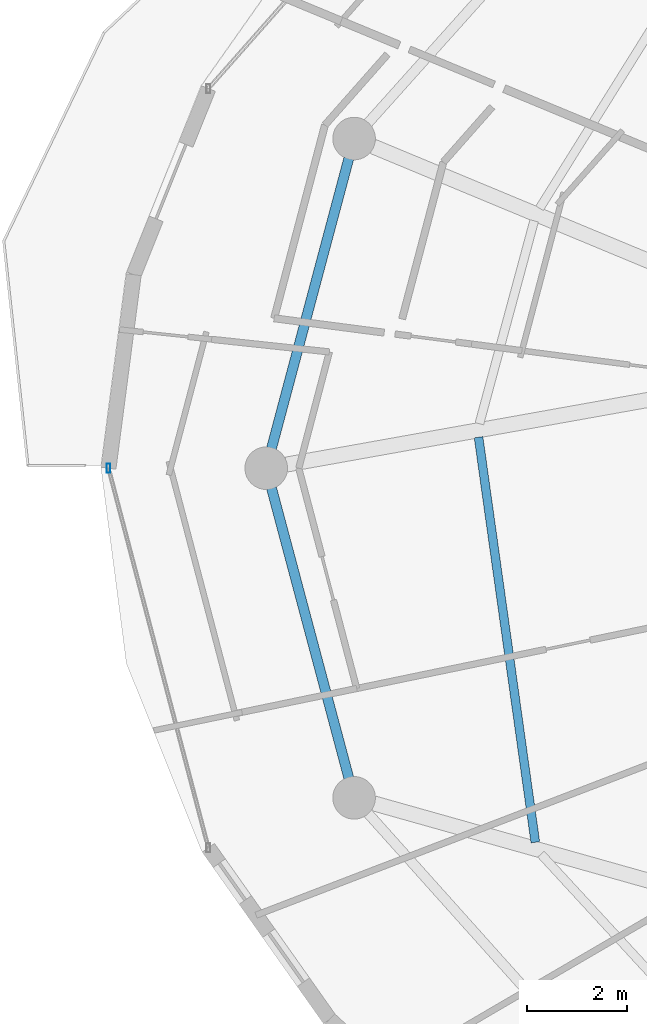
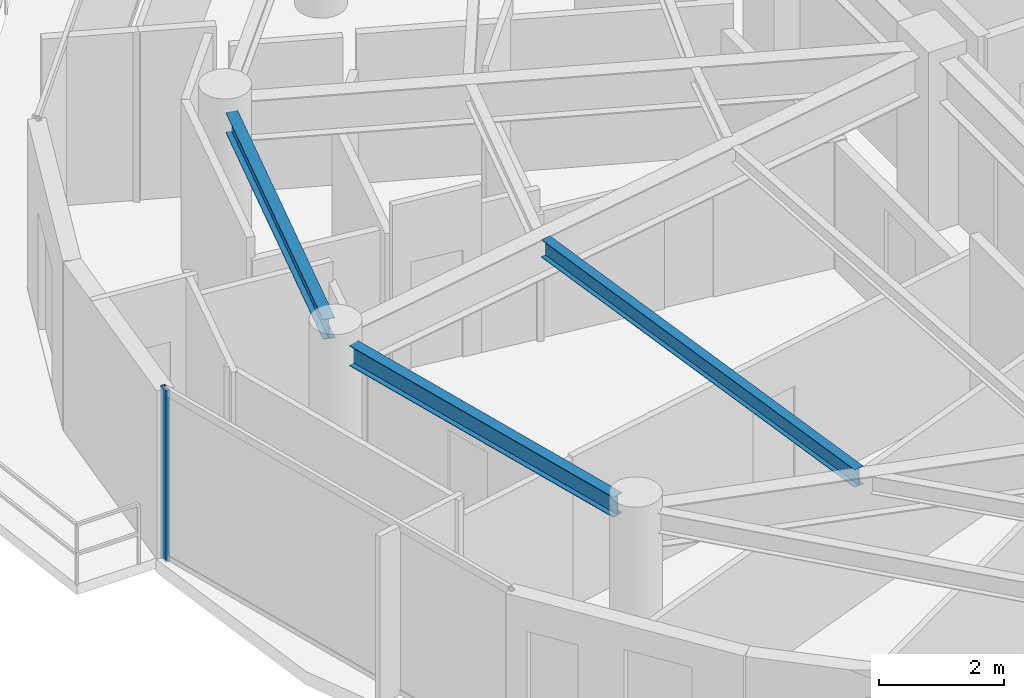
# One storey, part 6 of 30: 3 beams, 1 member, 1 element without a shape of its own.
"""IFC4 building model written with IfcOpenShell, lengths in metres."""

from ifc_helpers import new_model, si_unit, direction, frame, origin, origin_2d, place, context, subcontext, project, spatial, hollow_rectangle, i_section, extrude, material, material_profile, profile_set, type_object, element, aggregate, save


model = new_model("IFC4")

# Units and contexts
model_context = context("Model", 3, precision=1e-05, world=origin(), true_north=direction((0.0, 1.0)))
body_context = subcontext(model_context, "Body", "Model", "MODEL_VIEW")
ifc_project = project(units=[si_unit("LENGTHUNIT", "METRE"), si_unit("AREAUNIT", "SQUARE_METRE"), si_unit("VOLUMEUNIT", "CUBIC_METRE"), si_unit("PLANEANGLEUNIT", "RADIAN"), si_unit("MASSUNIT", "GRAM", prefix="KILO")], contexts=[model_context])

# Site, building, storey
site_placement = place(None, origin())
site = spatial("IfcSite", under=ifc_project, at=site_placement, CompositionType="ELEMENT")
building_placement = place(site_placement, origin())
building = spatial("IfcBuilding", under=site, at=building_placement, Name="Vorneva Point Tower", CompositionType="ELEMENT")
storey_placement = place(building_placement, frame((0.0, 0.0, 234.25)))
storey = spatial("IfcBuildingStorey", under=building, at=storey_placement, Name="L63", CompositionType="ELEMENT", Elevation=234.25)

# Beams
ifc_material_1 = material(Name="Steel S355", Category="steel")
ifc_material_profile_1 = material_profile(ifc_material_1, i_section(OverallWidth=0.174072265625, OverallDepth=0.345947265625, WebThickness=0.006103515625, FlangeThickness=0.009033203125, at=origin_2d()), Name="35B1")
ifc_profile_set_1 = profile_set([ifc_material_profile_1], Name="Steel S355")
beam_type_1 = type_object("IfcBeamType", Name="BM-SEC-35B1", PredefinedType="BEAM", material=ifc_profile_set_1)
beam_placement = place(storey_placement, frame((19.190185546875, 26.618408203125, 3.116943359375), z_axis=(0.138796784083, -0.990320883718, 0.0), x_axis=(0.990320883718, 0.138796784083, 0.0)))
element("IfcBeam", 1, at=beam_placement, inside=storey, type_object=beam_type_1, Name="L63 Secondary Floor Beam 1.09", PredefinedType="BEAM", context=body_context, shape_type="SweptSolid", body=[
    extrude(i_section(OverallWidth=0.174072265625, OverallDepth=0.345947265625, WebThickness=0.006103515625, FlangeThickness=0.009033203125, at=origin_2d()), origin(), (0.0, 0.0, 1.0), 8.1669921875),
])
ifc_material_profile_2 = material_profile(ifc_material_1, i_section(OverallWidth=0.198974609375, OverallDepth=0.39599609375, WebThickness=0.007080078125, FlangeThickness=0.010986328125, at=origin_2d()), Name="40B1")
ifc_profile_set_2 = profile_set([ifc_material_profile_2], Name="Steel S355")
beam_type_2 = type_object("IfcBeamType", Name="BM-SPN-40B1", PredefinedType="SPANDREL", material=ifc_profile_set_2)
for number, where, z_axis, x_axis, name in (
    (2, (16.59912109375, 32.18603515625, 3.092041015625), (-0.257586570866, -0.966255224312, 0.0), (0.966255224312, -0.257586570866, 0.0), "L63 Perimeter Spandrel Ring Beam 08"),
    (3, (15.0556640625, 25.603759765625, 3.092041015625), (0.257586570866, -0.966255224312, 0.0), (0.966255224312, 0.257586570866, 0.0), "L63 Perimeter Spandrel Ring Beam 09"),
):
    element("IfcBeam", number, at=place(storey_placement, frame(where, z_axis=z_axis, x_axis=x_axis)), inside=storey, type_object=beam_type_2, Name=name, PredefinedType="SPANDREL", context=body_context, shape_type="SweptSolid", body=[
        extrude(i_section(OverallWidth=0.198974609375, OverallDepth=0.39599609375, WebThickness=0.007080078125, FlangeThickness=0.010986328125, at=origin_2d()), origin(), (0.0, 0.0, 1.0), 5.991943359375),
    ])

# Curtain wall, member
ifc_material_2 = material(Name="Pale anodised aluminium", Category="aluminium")
curtain_wall_type = type_object("IfcCurtainWallType", Name="CW-RES-SYS", PredefinedType="NOTDEFINED", material=ifc_material_2)
curtain_wall_placement = place(storey_placement, origin())
curtain_wall = element("IfcCurtainWall", 4, at=curtain_wall_placement, inside=storey, type_object=curtain_wall_type, Name="L63 Unitised Curtain Wall CW-L63-R03", PredefinedType="NOTDEFINED")
ifc_material_profile_3 = material_profile(ifc_material_2, hollow_rectangle(XDim=0.074951171875, YDim=0.179931640625, WallThickness=0.00390625, at=origin_2d()), Name="AL-MUL 180x75x4")
ifc_profile_set_3 = profile_set([ifc_material_profile_3], Name="Pale anodised aluminium")
member_type = type_object("IfcMemberType", Name="CW-MUL-180", PredefinedType="MULLION", material=ifc_profile_set_3)
member_placement = place(storey_placement, frame((11.800048828125, 26.0, -0.0400390625), z_axis=(0.0, 0.0, 1.0), x_axis=(1.0, 0.0, 0.0)))
member = element("IfcMember", 5, at=member_placement, type_object=member_type, Name="CW-L63-R03 Mullion 01", PredefinedType="MULLION", context=body_context, shape_type="SweptSolid", body=[
    extrude(hollow_rectangle(XDim=0.074951171875, YDim=0.179931640625, WallThickness=0.00390625, at=origin_2d()), origin(), (0.0, 0.0, 1.0), 3.360107421875),
])
aggregate(curtain_wall, [member])

save(model, "model.ifc")
